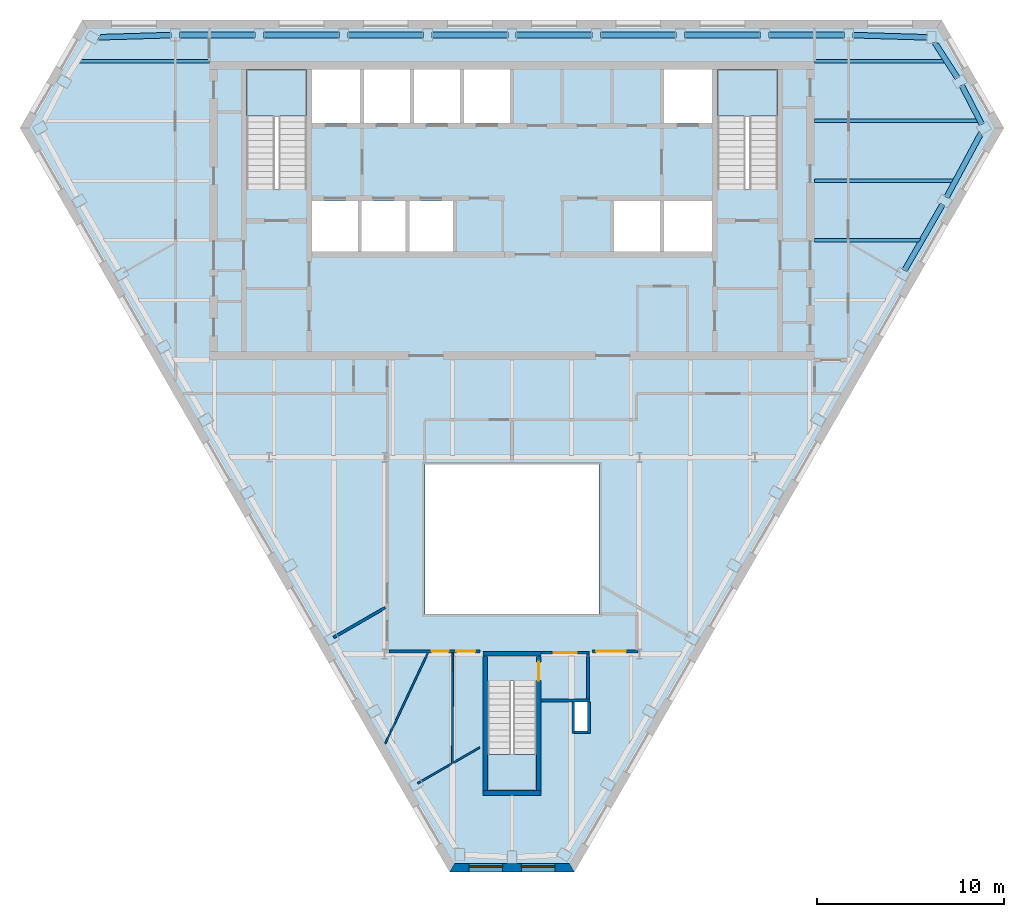
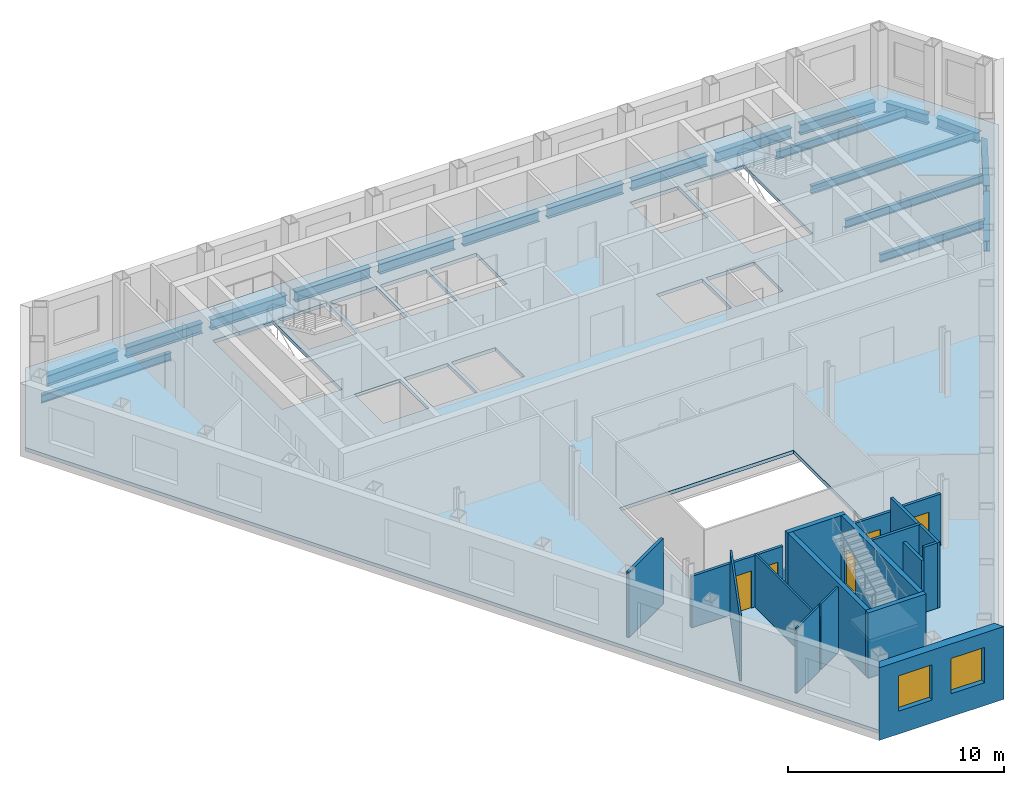
# One storey, part 3 of 10: 19 beams, 18 walls, 5 doors, 4 slabs, 2 windows, 7 openings, 3 elements without a shape of their own.
"""IFC4 building model written with IfcOpenShell, lengths in metres."""

import ifcopenshell
import ifcopenshell.guid

model = None  # the IFC model being written
_history = None  # IfcOwnerHistory: only IFC2X3 demands one
_inside = {}  # id of a spatial element -> (the spatial element, [elements in it])
_under = {}  # id of a project, library or spatial element -> (it, [spatial elements below it])
_declared = {}  # id of a project -> (the project, [libraries it declares])
_typed = {}  # id of a type object -> (the type object, [elements of that type])
_made_of = {}  # id of a material, layer set ... -> (it, [elements and type objects made of it])


def new_model(schema):
    """Start an empty IFC model of exactly this schema.

    Asked for "IFC4X3", IfcOpenShell would pick the latest addendum, in which some entities
    have other attributes; the version numbers below select the first issue.
    IFC2X3 requires an IfcOwnerHistory on every rooted entity: one is made here for all.
    """
    global model, _history
    if schema == "IFC4X3":
        model = ifcopenshell.file(schema_version=(4, 3, 0, 0))
    else:
        model = ifcopenshell.file(schema=schema)
    _inside.clear()
    _under.clear()
    _declared.clear()
    _typed.clear()
    _made_of.clear()
    _history = None
    if model.schema == "IFC2X3":
        org = make("IfcOrganization", Name="unknown")
        user = make(
            "IfcPersonAndOrganization",
            ThePerson=make("IfcPerson", FamilyName="unknown"),
            TheOrganization=org,
        )
        app = make(
            "IfcApplication",
            ApplicationDeveloper=org,
            Version="unknown",
            ApplicationFullName="unknown",
            ApplicationIdentifier="unknown",
        )
        _history = make(
            "IfcOwnerHistory",
            OwningUser=user,
            OwningApplication=app,
            ChangeAction="ADDED",
            CreationDate=0,
        )
    return model


def make(cls, **values):
    """One entity of the class cls with the attributes given. An attribute that is None is left unset."""
    return model.create_entity(
        cls, **{name: value for name, value in values.items() if value is not None}
    )


def rooted(cls, **values):
    """An entity with a GlobalId (a new one), such as an element, a storey or a relation."""
    return make(cls, GlobalId=ifcopenshell.guid.new(), OwnerHistory=_history, **values)


def si_unit(unit_type, name, prefix=None):
    """IfcSIUnit, for example si_unit("LENGTHUNIT", "METRE", prefix="MILLI")."""
    return make("IfcSIUnit", UnitType=unit_type, Prefix=prefix, Name=name)


def assignment(units):
    """IfcUnitAssignment: the units of a project."""
    return None if units is None else make("IfcUnitAssignment", Units=units)


def point(xyz):
    """IfcCartesianPoint."""
    return None if xyz is None else make("IfcCartesianPoint", Coordinates=xyz)


def direction(xyz):
    """IfcDirection."""
    return None if xyz is None else make("IfcDirection", DirectionRatios=xyz)


def frame(location, z_axis=None, x_axis=None):
    """IfcAxis2Placement3D, a coordinate frame: its origin and axes. An axis left out is left unset."""
    return make(
        "IfcAxis2Placement3D",
        Location=point(location),
        Axis=direction(z_axis),
        RefDirection=direction(x_axis),
    )


def frame_2d(location, x_axis=None):
    """IfcAxis2Placement2D, a coordinate frame in the plane: its origin and x axis."""
    return make(
        "IfcAxis2Placement2D", Location=point(location), RefDirection=direction(x_axis)
    )


def origin():
    """The frame at (0, 0, 0) with its axes left unset."""
    return frame((0.0, 0.0, 0.0))


def origin_2d():
    """The frame at (0, 0) in the plane with its x axis left unset."""
    return frame_2d((0.0, 0.0))


def place(relative_to, where):
    """IfcLocalPlacement: puts the frame where relative to a parent placement (None: the world)."""
    return make(
        "IfcLocalPlacement", PlacementRelTo=relative_to, RelativePlacement=where
    )


def context(
    kind, dimensions, precision=None, world=None, true_north=None, identifier=None
):
    """IfcGeometricRepresentationContext, for example the 3D "Model" context."""
    return make(
        "IfcGeometricRepresentationContext",
        ContextIdentifier=identifier,
        ContextType=kind,
        CoordinateSpaceDimension=dimensions,
        Precision=precision,
        WorldCoordinateSystem=world,
        TrueNorth=true_north,
    )


def subcontext(parent, identifier, kind, view, scale=None):
    """IfcGeometricRepresentationSubContext, for example "Body" below "Model"."""
    return make(
        "IfcGeometricRepresentationSubContext",
        ContextIdentifier=identifier,
        ContextType=kind,
        ParentContext=parent,
        TargetScale=scale,
        TargetView=view,
    )


def project(units=None, contexts=None):
    """IfcProject with its units and contexts."""
    return rooted(
        "IfcProject",
        Name="project",
        RepresentationContexts=contexts,
        UnitsInContext=assignment(units),
    )


def spatial(cls, under=None, at=None, **own):
    """A site, building, storey or space (cls), placed at a placement, below another one or the project."""
    s = rooted(cls, ObjectPlacement=at, **own)
    if under is not None:
        _under.setdefault(under.id(), (under, []))[1].append(s)
    return s


def polyline(points):
    """IfcPolyline through the points."""
    return make("IfcPolyline", Points=[point(p) for p in points])


def profile(cls, at=None, kind="AREA", **sizes):
    """A parametric profile (cls). Its sizes go by their IFC names, for example OverallWidth=200.0."""
    return make(cls, ProfileType=kind, Position=at, **sizes)


def rectangle(**sizes):
    """IfcRectangleProfileDef."""
    return profile("IfcRectangleProfileDef", **sizes)


def i_section(**sizes):
    """IfcIShapeProfileDef."""
    return profile("IfcIShapeProfileDef", **sizes)


def outline(outer, holes=None, kind="AREA"):
    """IfcArbitraryClosedProfileDef: a profile drawn as a closed curve; with holes, ...WithVoids."""
    if holes is None:
        return make("IfcArbitraryClosedProfileDef", ProfileType=kind, OuterCurve=outer)
    return make(
        "IfcArbitraryProfileDefWithVoids",
        ProfileType=kind,
        OuterCurve=outer,
        InnerCurves=holes,
    )


def extrude(swept, where, along, depth):
    """IfcExtrudedAreaSolid: the profile swept, set in the frame where, extruded along a direction by depth."""
    return make(
        "IfcExtrudedAreaSolid",
        SweptArea=swept,
        Position=where,
        ExtrudedDirection=direction(along),
        Depth=depth,
    )


def clip(a, b, op="DIFFERENCE"):
    """IfcBooleanClippingResult: the solid a cut by the half space b."""
    return make(
        "IfcBooleanClippingResult", Operator=op, FirstOperand=a, SecondOperand=b
    )


def halfspace(plane, agree):
    """IfcHalfSpaceSolid: all space on one side of the plane z = 0 of the frame plane."""
    return make(
        "IfcHalfSpaceSolid",
        BaseSurface=make("IfcPlane", Position=plane),
        AgreementFlag=agree,
    )


def shape(context_of_items, identifier, shape_type, items):
    """IfcShapeRepresentation: the items that make up one representation, for example the "Body"."""
    return make(
        "IfcShapeRepresentation",
        ContextOfItems=context_of_items,
        RepresentationIdentifier=identifier,
        RepresentationType=shape_type,
        Items=items,
    )


def material(Name=None, Category=None):
    """IfcMaterial."""
    return make("IfcMaterial", Name=Name, Category=Category)


def layer(
    of_material, thickness, ventilated=None, Name=None, Category=None, Priority=None
):
    """IfcMaterialLayer: one layer of a wall or slab, of a material (None: an air gap)."""
    return make(
        "IfcMaterialLayer",
        Material=of_material,
        LayerThickness=thickness,
        IsVentilated=ventilated,
        Name=Name,
        Category=Category,
        Priority=Priority,
    )


def layer_set(layers, Name=None):
    """IfcMaterialLayerSet."""
    return make("IfcMaterialLayerSet", MaterialLayers=layers, LayerSetName=Name)


def material_profile(
    of_material, cross_section, Name=None, Category=None, Priority=None
):
    """IfcMaterialProfile: a cross section and its material."""
    return make(
        "IfcMaterialProfile",
        Name=Name,
        Material=of_material,
        Profile=cross_section,
        Priority=Priority,
        Category=Category,
    )


def profile_set(profiles, Name=None, composite=None):
    """IfcMaterialProfileSet."""
    return make(
        "IfcMaterialProfileSet",
        Name=Name,
        MaterialProfiles=profiles,
        CompositeProfile=composite,
    )


def made_of(thing, what):
    """Note that an element or type object is made of a material, layer set ...; save() writes the relation."""
    if what is not None:
        _made_of.setdefault(what.id(), (what, []))[1].append(thing)
    return thing


def type_object(cls, material=None, **own):
    """A type object (cls), such as IfcWallType, which elements share."""
    return made_of(rooted(cls, **own), material)


def element(
    cls,
    number,
    at=None,
    inside=None,
    cuts=None,
    type_object=None,
    material=None,
    context=None,
    identifier="Body",
    shape_type=None,
    held_by="IfcProductDefinitionShape",
    body=None,
    shapes=None,
    **own,
):
    """One element of the class cls, such as IfcWall. Its Tag is "e" and its number.

    at: its placement. inside: the storey or other place that contains it. cuts: it is an
    opening in that element (IfcRelVoidsElement). A single representation is given by context,
    identifier, shape_type and body (its items); several are given by shapes. held_by: the class
    of the entity that holds the representations. save() writes the other relations.
    """
    e = rooted(cls, Tag="e%d" % number, ObjectPlacement=at, **own)
    if body is not None:
        shapes = [shape(context, identifier, shape_type, body)]
    if shapes is not None:
        e.Representation = make(held_by, Representations=shapes)
    if inside is not None:
        _inside.setdefault(inside.id(), (inside, []))[1].append(e)
    if cuts is not None:
        rooted(
            "IfcRelVoidsElement", RelatingBuildingElement=cuts, RelatedOpeningElement=e
        )
    if type_object is not None:
        _typed.setdefault(type_object.id(), (type_object, []))[1].append(e)
    return made_of(e, material)


def fill(opening, filler):
    """IfcRelFillsElement: the door or window that sits in an opening."""
    return rooted(
        "IfcRelFillsElement",
        RelatingOpeningElement=opening,
        RelatedBuildingElement=filler,
    )


def aggregate(whole, parts):
    """IfcRelAggregates: a whole, such as a stair, and the parts it consists of."""
    return rooted("IfcRelAggregates", RelatingObject=whole, RelatedObjects=parts)


def save(model, path):
    """Write the relations noted so far, then the file.

    IfcRelAggregates (storeys below a building ...), IfcRelContainedInSpatialStructure (elements
    in a storey), IfcRelDefinesByType, IfcRelAssociatesMaterial and IfcRelDeclares: one each for
    every whole, place, type object, material and project.
    """
    for whole, parts in _under.values():
        aggregate(whole, parts)
    for where, things in _inside.values():
        rooted(
            "IfcRelContainedInSpatialStructure",
            RelatedElements=things,
            RelatingStructure=where,
        )
    for kind, things in _typed.values():
        rooted("IfcRelDefinesByType", RelatedObjects=things, RelatingType=kind)
    for what, things in _made_of.values():
        rooted("IfcRelAssociatesMaterial", RelatedObjects=things, RelatingMaterial=what)
    for by, libraries in _declared.values():
        rooted("IfcRelDeclares", RelatingContext=by, RelatedDefinitions=libraries)
    model.write(path)


model = new_model("IFC4")

# Units and contexts
model_context = context("Model", 3, precision=1e-05, world=origin(), true_north=direction((0.0, 1.0)))
body_context = subcontext(model_context, "Body", "Model", "MODEL_VIEW")
ifc_project = project(units=[si_unit("LENGTHUNIT", "METRE"), si_unit("AREAUNIT", "SQUARE_METRE"), si_unit("VOLUMEUNIT", "CUBIC_METRE"), si_unit("PLANEANGLEUNIT", "RADIAN"), si_unit("MASSUNIT", "GRAM", prefix="KILO")], contexts=[model_context])

# Site, building, storey
site_placement = place(None, origin())
site = spatial("IfcSite", under=ifc_project, at=site_placement, CompositionType="ELEMENT")
building_placement = place(site_placement, origin())
building = spatial("IfcBuilding", under=site, at=building_placement, Name="Njiva Tower", CompositionType="ELEMENT")
storey_placement = place(building_placement, frame((0.0, 0.0, 235.5)))
storey = spatial("IfcBuildingStorey", under=building, at=storey_placement, Name="L53", CompositionType="ELEMENT", Elevation=235.5)

# Beams
ifc_material_1 = material(Name="Steel S355 J2", Category="steel")
ifc_material_profile_1 = material_profile(ifc_material_1, i_section(OverallWidth=0.3, OverallDepth=0.59, WebThickness=0.013, FlangeThickness=0.025, at=origin_2d()), Name="HEA 600")
ifc_profile_set_1 = profile_set([ifc_material_profile_1], Name="Steel S355 J2")
beam_type_1 = type_object("IfcBeamType", Name="B27 Short-span spandrel beam HEA 600", PredefinedType="SPANDREL", material=ifc_profile_set_1)
beam_1_placement = place(storey_placement, frame((22.227, 19.274, -0.495), z_axis=(-0.999551509544, 0.029946281379, 0.0), x_axis=(-0.029946281379, -0.999551509544, 0.0)))
element("IfcBeam", 1, at=beam_1_placement, inside=storey, type_object=beam_type_1, Name="Short-span spandrel beam S17-B131", PredefinedType="SPANDREL", context=body_context, shape_type="SweptSolid", body=[
    extrude(i_section(OverallWidth=0.3, OverallDepth=0.59, WebThickness=0.013, FlangeThickness=0.025, at=origin_2d()), origin(), (0.0, 0.0, 1.0), 3.9738),
])
beam_2_placement = place(storey_placement, frame((17.801, 19.4, -0.495), z_axis=(-1.0, 0.0, 0.0), x_axis=(0.0, -1.0, 0.0)))
element("IfcBeam", 2, at=beam_2_placement, inside=storey, type_object=beam_type_1, Name="Short-span spandrel beam S17-B125", PredefinedType="SPANDREL", context=body_context, shape_type="SweptSolid", body=[
    extrude(i_section(OverallWidth=0.3, OverallDepth=0.59, WebThickness=0.013, FlangeThickness=0.025, at=origin_2d()), origin(), (0.0, 0.0, 1.0), 4.056),
])
beam_3_placement = place(storey_placement, frame((13.295, 19.4, -0.495), z_axis=(-1.0, 0.0, 0.0), x_axis=(0.0, -1.0, 0.0)))
element("IfcBeam", 3, at=beam_3_placement, inside=storey, type_object=beam_type_1, Name="Short-span spandrel beam S17-B120", PredefinedType="SPANDREL", context=body_context, shape_type="SweptSolid", body=[
    extrude(i_section(OverallWidth=0.3, OverallDepth=0.59, WebThickness=0.013, FlangeThickness=0.025, at=origin_2d()), origin(), (0.0, 0.0, 1.0), 4.057),
])
beam_4_placement = place(storey_placement, frame((8.788, 19.4, -0.495), z_axis=(-1.0, 0.0, 0.0), x_axis=(0.0, -1.0, 0.0)))
element("IfcBeam", 4, at=beam_4_placement, inside=storey, type_object=beam_type_1, Name="Short-span spandrel beam S17-B115", PredefinedType="SPANDREL", context=body_context, shape_type="SweptSolid", body=[
    extrude(i_section(OverallWidth=0.3, OverallDepth=0.59, WebThickness=0.013, FlangeThickness=0.025, at=origin_2d()), origin(), (0.0, 0.0, 1.0), 4.056),
])
for number, where, z_axis, x_axis, name in (
    (5, (4.282, 19.4, -0.495), (-1.0, 0.0, 0.0), (0.0, -1.0, 0.0), "Short-span spandrel beam S17-B110"),
    (6, (-0.225, 19.4, -0.495), (-1.0, 0.0, 0.0), (0.0, -1.0, 0.0), "Short-span spandrel beam S17-B107"),
):
    element("IfcBeam", number, at=place(storey_placement, frame(where, z_axis=z_axis, x_axis=x_axis)), inside=storey, type_object=beam_type_1, Name=name, PredefinedType="SPANDREL", context=body_context, shape_type="SweptSolid", body=[
        extrude(i_section(OverallWidth=0.3, OverallDepth=0.59, WebThickness=0.013, FlangeThickness=0.025, at=origin_2d()), origin(), (0.0, 0.0, 1.0), 4.057),
    ])
beam_5_placement = place(storey_placement, frame((-4.732, 19.4, -0.495), z_axis=(-1.0, 0.0, 0.0), x_axis=(0.0, -1.0, 0.0)))
element("IfcBeam", 7, at=beam_5_placement, inside=storey, type_object=beam_type_1, Name="Short-span spandrel beam S17-B102", PredefinedType="SPANDREL", context=body_context, shape_type="SweptSolid", body=[
    extrude(i_section(OverallWidth=0.3, OverallDepth=0.59, WebThickness=0.013, FlangeThickness=0.025, at=origin_2d()), origin(), (0.0, 0.0, 1.0), 4.056),
])
beam_6_placement = place(storey_placement, frame((-9.238, 19.4, -0.495), z_axis=(-1.0, 0.0, 0.0), x_axis=(0.0, -1.0, 0.0)))
element("IfcBeam", 8, at=beam_6_placement, inside=storey, type_object=beam_type_1, Name="Short-span spandrel beam S17-B097", PredefinedType="SPANDREL", context=body_context, shape_type="SweptSolid", body=[
    extrude(i_section(OverallWidth=0.3, OverallDepth=0.59, WebThickness=0.013, FlangeThickness=0.025, at=origin_2d()), origin(), (0.0, 0.0, 1.0), 4.057),
])
beam_7_placement = place(storey_placement, frame((-13.745, 19.4, -0.495), z_axis=(-1.0, 0.0, 0.0), x_axis=(0.0, -1.0, 0.0)))
element("IfcBeam", 9, at=beam_7_placement, inside=storey, type_object=beam_type_1, Name="Short-span spandrel beam S17-B092", PredefinedType="SPANDREL", context=body_context, shape_type="SweptSolid", body=[
    extrude(i_section(OverallWidth=0.3, OverallDepth=0.59, WebThickness=0.013, FlangeThickness=0.025, at=origin_2d()), origin(), (0.0, 0.0, 1.0), 4.056),
])
beam_8_placement = place(storey_placement, frame((-18.255, 19.393, -0.495), z_axis=(-0.999546168708, -0.030124020673, 0.0), x_axis=(0.030124020673, -0.999546168708, 0.0)))
element("IfcBeam", 10, at=beam_8_placement, inside=storey, type_object=beam_type_1, Name="Short-span spandrel beam S17-B086", PredefinedType="SPANDREL", context=body_context, shape_type="Clipping", body=[
    clip(extrude(i_section(OverallWidth=0.3, OverallDepth=0.59, WebThickness=0.013, FlangeThickness=0.025, at=origin_2d()), origin(), (0.0, 0.0, 1.0), 3.9637), halfspace(frame((-0.0268, 0.0, 3.834), z_axis=(-0.525859296825, 0.0, 0.850571572499), x_axis=(0.0, 1.0, 0.0)), False)),
])
beam_9_placement = place(storey_placement, frame((21.017, 6.804, -0.495), z_axis=(0.499957196903, 0.866050114754, 0.0), x_axis=(-0.866050114754, 0.499957196903, 0.0)))
element("IfcBeam", 11, at=beam_9_placement, inside=storey, type_object=beam_type_1, Name="Short-span spandrel beam S17-B136", PredefinedType="SPANDREL", context=body_context, shape_type="SweptSolid", body=[
    extrude(i_section(OverallWidth=0.3, OverallDepth=0.59, WebThickness=0.013, FlangeThickness=0.025, at=origin_2d()), origin(), (0.0, 0.0, 1.0), 4.0563),
])
beam_10_placement = place(storey_placement, frame((23.266, 10.714, -0.495), z_axis=(0.47391398721, 0.880571140071, 0.0), x_axis=(-0.880571140071, 0.47391398721, 0.0)))
element("IfcBeam", 12, at=beam_10_placement, inside=storey, type_object=beam_type_1, Name="Short-span spandrel beam S17-B140", PredefinedType="SPANDREL", context=body_context, shape_type="Clipping", body=[
    clip(extrude(i_section(OverallWidth=0.3, OverallDepth=0.59, WebThickness=0.013, FlangeThickness=0.025, at=origin_2d()), origin(), (0.0, 0.0, 1.0), 3.9639), halfspace(frame((-0.0261, 0.0, 3.8343), z_axis=(-0.525641938543, 0.0, 0.850705914194), x_axis=(0.0, 1.0, 0.0)), False)),
])
beam_11_placement = place(storey_placement, frame((25.152, 14.621, -0.495), z_axis=(-0.458795252972, 0.88854201693, 0.0), x_axis=(-0.88854201693, -0.458795252972, 0.0)))
element("IfcBeam", 13, at=beam_11_placement, inside=storey, type_object=beam_type_1, Name="Short-span spandrel beam S17-B141", PredefinedType="SPANDREL", context=body_context, shape_type="SweptSolid", body=[
    extrude(i_section(OverallWidth=0.3, OverallDepth=0.59, WebThickness=0.013, FlangeThickness=0.025, at=origin_2d()), origin(), (0.0, 0.0, 1.0), 2.3409),
])
beam_12_placement = place(storey_placement, frame((23.847, 17.102, -0.495), z_axis=(-0.540461143355, 0.841368975256, 0.0), x_axis=(-0.841368975256, -0.540461143355, 0.0)))
element("IfcBeam", 14, at=beam_12_placement, inside=storey, type_object=beam_type_1, Name="Short-span spandrel beam S17-B137", PredefinedType="SPANDREL", context=body_context, shape_type="Clipping", body=[
    clip(extrude(i_section(OverallWidth=0.3, OverallDepth=0.59, WebThickness=0.013, FlangeThickness=0.025, at=origin_2d()), origin(), (0.0, 0.0, 1.0), 2.3326), halfspace(frame((-0.027, 0.0, 2.1993), z_axis=(-0.540461143355, 0.0, 0.841368975256), x_axis=(0.0, 1.0, 0.0)), False)),
])
ifc_material_profile_2 = material_profile(ifc_material_1, i_section(OverallWidth=0.19, OverallDepth=0.45, WebThickness=0.0094, FlangeThickness=0.0146, at=origin_2d()), Name="IPE 450")
ifc_profile_set_2 = profile_set([ifc_material_profile_2], Name="Steel S355 J2")
beam_type_2 = type_object("IfcBeamType", Name="B37 Floor beam to the core IPE 450", PredefinedType="BEAM", material=ifc_profile_set_2)
beam_13_placement = place(storey_placement, frame((16.2, 8.4, -0.425), z_axis=(1.0, 0.0, 0.0), x_axis=(0.0, 1.0, 0.0)))
element("IfcBeam", 15, at=beam_13_placement, inside=storey, type_object=beam_type_2, Name="Floor beam to the core S17-B007", PredefinedType="BEAM", context=body_context, shape_type="Clipping", body=[
    clip(extrude(i_section(OverallWidth=0.19, OverallDepth=0.45, WebThickness=0.0094, FlangeThickness=0.0146, at=origin_2d()), origin(), (0.0, 0.0, 1.0), 5.698), halfspace(frame((-0.025, 0.0, 5.6086), z_axis=(-0.499998009787, 0.0, 0.866026552831), x_axis=(0.0, 1.0, 0.0)), False)),
])
beam_14_placement = place(storey_placement, frame((16.2, 11.6, -0.425), z_axis=(1.0, 0.0, 0.0), x_axis=(0.0, 1.0, 0.0)))
element("IfcBeam", 16, at=beam_14_placement, inside=storey, type_object=beam_type_2, Name="Floor beam to the core S17-B008", PredefinedType="BEAM", context=body_context, shape_type="Clipping", body=[
    clip(extrude(i_section(OverallWidth=0.19, OverallDepth=0.45, WebThickness=0.0094, FlangeThickness=0.0146, at=origin_2d()), origin(), (0.0, 0.0, 1.0), 7.501), halfspace(frame((-0.0237, 0.0, 7.4169), z_axis=(-0.47376166762, 0.0, 0.88065309986), x_axis=(0.0, 1.0, 0.0)), False)),
])
beam_15_placement = place(storey_placement, frame((16.2, 14.8, -0.425), z_axis=(1.0, 0.0, 0.0), x_axis=(0.0, 1.0, 0.0)))
element("IfcBeam", 17, at=beam_15_placement, inside=storey, type_object=beam_type_2, Name="Floor beam to the core S17-B009", PredefinedType="BEAM", context=body_context, shape_type="Clipping", body=[
    clip(extrude(i_section(OverallWidth=0.19, OverallDepth=0.45, WebThickness=0.0094, FlangeThickness=0.0146, at=origin_2d()), origin(), (0.0, 0.0, 1.0), 8.815), halfspace(frame((0.0229, 0.0, 8.7346), z_axis=(0.458330853115, 0.0, 0.888781654335), x_axis=(0.0, 1.0, 0.0)), False)),
])
beam_16_placement = place(storey_placement, frame((-23.232, 18.0, -0.425), z_axis=(1.0, 0.0, 0.0), x_axis=(0.0, 1.0, 0.0)))
element("IfcBeam", 18, at=beam_16_placement, inside=storey, type_object=beam_type_2, Name="Floor beam to the core S17-B003", PredefinedType="BEAM", context=body_context, shape_type="Clipping", body=[
    clip(extrude(i_section(OverallWidth=0.19, OverallDepth=0.45, WebThickness=0.0094, FlangeThickness=0.0146, at=origin_2d()), origin(), (0.0, 0.0, 1.0), 7.032), halfspace(frame((0.027, 0.0, 0.098), z_axis=(0.540539234056, 0.0, -0.841318807852), x_axis=(0.0, -1.0, 0.0)), False)),
])
beam_17_placement = place(storey_placement, frame((16.2, 18.0, -0.425), z_axis=(1.0, 0.0, 0.0), x_axis=(0.0, 1.0, 0.0)))
element("IfcBeam", 19, at=beam_17_placement, inside=storey, type_object=beam_type_2, Name="Floor beam to the core S17-B010", PredefinedType="BEAM", context=body_context, shape_type="Clipping", body=[
    clip(extrude(i_section(OverallWidth=0.19, OverallDepth=0.45, WebThickness=0.0094, FlangeThickness=0.0146, at=origin_2d()), origin(), (0.0, 0.0, 1.0), 7.032), halfspace(frame((0.027, 0.0, 6.934), z_axis=(0.540539234056, 0.0, 0.841318807852), x_axis=(0.0, 1.0, 0.0)), False)),
])

# Stair, slab
ifc_material_2 = material(Name="Concrete C40/50", Category="concrete")
stair_type_1 = type_object("IfcStairType", Name="ST4 Exit stair 1500", PredefinedType="HALF_TURN_STAIR", material=ifc_material_2)
stair_1_placement = place(storey_placement, origin())
stair_1 = element("IfcStair", 20, at=stair_1_placement, inside=storey, type_object=stair_type_1, Name="Stair A", PredefinedType="HALF_TURN_STAIR")
ifc_layer_1 = layer(ifc_material_2, 0.2)
ifc_layer_set_1 = layer_set([ifc_layer_1], Name="Concrete C40/50")
slab_type_1 = type_object("IfcSlabType", Name="FL9 Stair landing 200", PredefinedType="LANDING", material=ifc_layer_set_1)
slab_1_placement = place(storey_placement, frame((0.0, 0.0, 1.75)))
slab_1 = element("IfcSlab", 21, at=slab_1_placement, type_object=slab_type_1, Name="ST-A landing 1", PredefinedType="LANDING", context=body_context, shape_type="SweptSolid", body=[
    extrude(outline(polyline([(-14.206, 15.06), (-10.994, 15.06), (-10.994, 17.55), (-14.206, 17.55), (-14.206, 15.06)])), origin(), (0.0, 0.0, 1.0), 0.2),
])
aggregate(stair_1, [slab_1])

stair_2_placement = place(storey_placement, origin())
stair_2 = element("IfcStair", 22, at=stair_2_placement, inside=storey, type_object=stair_type_1, Name="Stair B", PredefinedType="HALF_TURN_STAIR")
slab_2_placement = place(storey_placement, frame((0.0, 0.0, 1.75)))
slab_2 = element("IfcSlab", 23, at=slab_2_placement, type_object=slab_type_1, Name="ST-B landing 1", PredefinedType="LANDING", context=body_context, shape_type="SweptSolid", body=[
    extrude(outline(polyline([(10.994, 15.06), (14.206, 15.06), (14.206, 17.55), (10.994, 17.55), (10.994, 15.06)])), origin(), (0.0, 0.0, 1.0), 0.2),
])
aggregate(stair_2, [slab_2])

stair_type_2 = type_object("IfcStairType", Name="ST1 Exit stair 1250", PredefinedType="HALF_TURN_STAIR", material=ifc_material_2)
stair_3_placement = place(storey_placement, origin())
stair_3 = element("IfcStair", 24, at=stair_3_placement, inside=storey, type_object=stair_type_2, Name="Stair C", PredefinedType="HALF_TURN_STAIR")
slab_3_placement = place(storey_placement, frame((0.0, 0.0, 1.75)))
slab_3 = element("IfcSlab", 25, at=slab_3_placement, type_object=slab_type_1, Name="ST-C landing 1", PredefinedType="LANDING", context=body_context, shape_type="SweptSolid", body=[
    extrude(outline(polyline([(-1.306, -21.05), (1.306, -21.05), (1.306, -19.12), (-1.306, -19.12), (-1.306, -21.05)])), origin(), (0.0, 0.0, 1.0), 0.2),
])
aggregate(stair_3, [slab_3])

# Slab
ifc_material_3 = material(Name="Concrete C30/37", Category="concrete")
ifc_layer_2 = layer(ifc_material_3, 0.2)
ifc_layer_set_2 = layer_set([ifc_layer_2], Name="Concrete C30/37")
slab_type_2 = type_object("IfcSlabType", Name="SL16 Composite floor slab 200", PredefinedType="FLOOR", material=ifc_layer_set_2)
slab_4_placement = place(storey_placement, frame((0.0, 0.0, -0.2)))
element("IfcSlab", 26, at=slab_4_placement, inside=storey, type_object=slab_type_2, Name="Floor slab L53", PredefinedType="FLOOR", context=body_context, shape_type="SweptSolid", body=[
    extrude(outline(polyline([(26.0752, 14.415), (3.2101, -25.1886), (-3.2101, -25.1886), (-26.0752, 14.415), (-22.8651, 19.975), (22.8651, 19.975), (26.0752, 14.415)]), holes=[polyline([(10.994, 11.13), (14.206, 11.13), (14.206, 17.55), (10.994, 17.55), (10.994, 11.13)]), polyline([(8.125, 14.7), (10.7, 14.7), (10.7, 17.55), (8.125, 17.55), (8.125, 14.7)]), polyline([(8.1333, 7.8), (10.7, 7.8), (10.7, 10.5), (8.1333, 10.5), (8.1333, 7.8)]), polyline([(5.4667, 7.8), (7.9333, 7.8), (7.9333, 10.5), (5.4667, 10.5), (5.4667, 7.8)]), polyline([(4.67, -11.6), (4.67, -3.6), (-4.67, -3.6), (-4.67, -11.6), (4.67, -11.6)]), polyline([(3.35, -17.85), (4.05, -17.85), (4.05, -16.3), (3.35, -16.3), (3.35, -17.85)]), polyline([(-1.306, -21.05), (1.306, -21.05), (1.306, -15.19), (-1.306, -15.19), (-1.306, -21.05)]), polyline([(-2.575, 14.7), (-0.1, 14.7), (-0.1, 17.55), (-2.575, 17.55), (-2.575, 14.7)]), polyline([(-5.25, 14.7), (-2.775, 14.7), (-2.775, 17.55), (-5.25, 17.55), (-5.25, 14.7)]), polyline([(-5.5, 7.8), (-3.15, 7.8), (-3.15, 10.5), (-5.5, 10.5), (-5.5, 7.8)]), polyline([(-7.925, 14.7), (-5.45, 14.7), (-5.45, 17.55), (-7.925, 17.55), (-7.925, 14.7)]), polyline([(-8.05, 7.8), (-5.7, 7.8), (-5.7, 10.5), (-8.05, 10.5), (-8.05, 7.8)]), polyline([(-10.7, 14.7), (-8.125, 14.7), (-8.125, 17.55), (-10.7, 17.55), (-10.7, 14.7)]), polyline([(-8.25, 7.8), (-8.25, 10.5), (-10.7, 10.5), (-10.7, 7.8), (-8.25, 7.8)]), polyline([(-14.206, 11.13), (-10.994, 11.13), (-10.994, 17.55), (-14.206, 17.55), (-14.206, 11.13)])]), origin(), (0.0, 0.0, 1.0), 0.2),
])

# Walls
ifc_material_4 = material(Name="Gypsum board on steel studs", Category="gypsum")
ifc_layer_3 = layer(ifc_material_4, 0.1)
ifc_layer_set_3 = layer_set([ifc_layer_3], Name="Gypsum board on steel studs")
wall_type_1 = type_object("IfcWallType", Name="WT20 Gypsum partition 100", PredefinedType="PARTITIONING", material=ifc_layer_set_3)
wall_1_placement = place(storey_placement, frame((-6.789, -18.539, 0.0), z_axis=(0.0, 0.0, 1.0), x_axis=(0.425635061069, 0.904894908146, 0.0)))
element("IfcWall", 27, at=wall_1_placement, inside=storey, type_object=wall_type_1, Name="Partition S17-P008", PredefinedType="PARTITIONING", context=body_context, shape_type="SweptSolid", body=[
    extrude(rectangle(XDim=5.352, YDim=0.1, at=frame_2d((2.676, 0.0))), origin(), (0.0, 0.0, 1.0), 3.7),
])
wall_2_placement = place(storey_placement, frame((-5.045, -20.66, 0.0), z_axis=(0.0, 0.0, 1.0), x_axis=(0.866002828817, 0.500039098953, 0.0)))
element("IfcWall", 28, at=wall_2_placement, inside=storey, type_object=wall_type_1, Name="Partition S17-P011", PredefinedType="PARTITIONING", context=body_context, shape_type="SweptSolid", body=[
    extrude(rectangle(XDim=2.0958, YDim=0.1, at=frame_2d((1.0479, 0.0))), origin(), (0.0, 0.0, 1.0), 3.7),
])
wall_3_placement = place(storey_placement, frame((-3.192, -19.591, 0.0), z_axis=(0.0, 0.0, 1.0), x_axis=(0.003380643291, 0.999994285609, 0.0)))
element("IfcWall", 29, at=wall_3_placement, inside=storey, type_object=wall_type_1, Name="Partition S17-P014", PredefinedType="PARTITIONING", context=body_context, shape_type="SweptSolid", body=[
    extrude(rectangle(XDim=5.916, YDim=0.1, at=frame_2d((2.958, 0.0))), origin(), (0.0, 0.0, 1.0), 3.01),
])
wall_4_placement = place(storey_placement, frame((-3.117, -19.547, 0.0), z_axis=(0.0, 0.0, 1.0), x_axis=(0.865936922628, 0.500153222552, 0.0)))
element("IfcWall", 30, at=wall_4_placement, inside=storey, type_object=wall_type_1, Name="Partition S17-P015", PredefinedType="PARTITIONING", context=body_context, shape_type="SweptSolid", body=[
    extrude(rectangle(XDim=1.6075, YDim=0.1, at=frame_2d((0.8038, 0.0))), origin(), (0.0, 0.0, 1.0), 3.7),
])
ifc_layer_4 = layer(ifc_material_4, 0.15)
ifc_layer_set_4 = layer_set([ifc_layer_4], Name="Gypsum board on steel studs")
wall_type_2 = type_object("IfcWallType", Name="WT21 Compartment wall 150", PredefinedType="PARTITIONING", material=ifc_layer_set_4)
wall_5_placement = place(storey_placement, frame((-9.552, -12.854, 0.0), z_axis=(0.0, 0.0, 1.0), x_axis=(0.865847012661, 0.500308855275, 0.0)))
element("IfcWall", 31, at=wall_5_placement, inside=storey, type_object=wall_type_2, Name="Partition S17-P006", PredefinedType="PARTITIONING", context=body_context, shape_type="SweptSolid", body=[
    extrude(rectangle(XDim=3.198, YDim=0.15, at=frame_2d((1.599, 0.0))), origin(), (0.0, 0.0, 1.0), 3.7),
])

# Wall, openings, doors
wall_6_placement = place(storey_placement, frame((-6.595, -13.6, 0.0), z_axis=(0.0, 0.0, 1.0), x_axis=(1.0, 0.0, 0.0)))
wall_6 = element("IfcWall", 32, at=wall_6_placement, inside=storey, type_object=wall_type_2, Name="Partition S17-P010", PredefinedType="PARTITIONING", context=body_context, shape_type="SweptSolid", body=[
    extrude(rectangle(XDim=4.895, YDim=0.15, at=frame_2d((2.4475, 0.0))), origin(), (0.0, 0.0, 1.0), 2.91),
])
opening_1_placement = place(wall_6_placement, frame((2.297, 0.0, 0.0)))
opening_1 = element("IfcOpeningElement", 33, at=opening_1_placement, cuts=wall_6, Name="Opening S17-D009", PredefinedType="OPENING", context=body_context, shape_type="SweptSolid", body=[
    extrude(rectangle(XDim=0.9, YDim=2.1, at=frame_2d((0.45, 1.05))), frame((0.0, 0.085, 0.0), z_axis=(0.0, -1.0, 0.0), x_axis=(1.0, 0.0, 0.0)), (0.0, 0.0, 1.0), 0.17),
])
opening_2_placement = place(wall_6_placement, frame((3.623, 0.0, 0.0)))
opening_2 = element("IfcOpeningElement", 34, at=opening_2_placement, cuts=wall_6, Name="Opening S17-D010", PredefinedType="OPENING", context=body_context, shape_type="SweptSolid", body=[
    extrude(rectangle(XDim=1.0, YDim=2.1, at=frame_2d((0.5, 1.05))), frame((0.0, 0.085, 0.0), z_axis=(0.0, -1.0, 0.0), x_axis=(1.0, 0.0, 0.0)), (0.0, 0.0, 1.0), 0.17),
])
ifc_material_5 = material(Name="Steel fire door set", Category="steel")
door_type_1 = type_object("IfcDoorType", Name="D36 Fire door 900x2100", OperationType="SINGLE_SWING_LEFT", PredefinedType="DOOR", material=ifc_material_5)
door_1_placement = place(opening_1_placement, origin())
door_1 = element("IfcDoor", 35, at=door_1_placement, inside=storey, type_object=door_type_1, Name="Door S17-D009", OperationType="SINGLE_SWING_RIGHT", OverallHeight=2.1, OverallWidth=0.9, PredefinedType="DOOR", context=body_context, shape_type="SweptSolid", body=[
    extrude(rectangle(XDim=0.9, YDim=2.1, at=frame_2d((0.45, 1.05))), frame((0.0, 0.025, 0.0), z_axis=(0.0, -1.0, 0.0), x_axis=(1.0, 0.0, 0.0)), (0.0, 0.0, 1.0), 0.05),
])
fill(opening_1, door_1)
door_type_2 = type_object("IfcDoorType", Name="D37 Fire door 1000x2100", OperationType="SINGLE_SWING_LEFT", PredefinedType="DOOR", material=ifc_material_5)
door_2_placement = place(opening_2_placement, origin())
door_2 = element("IfcDoor", 36, at=door_2_placement, inside=storey, type_object=door_type_2, Name="Door S17-D010", OperationType="SINGLE_SWING_RIGHT", OverallHeight=2.1, OverallWidth=1.0, PredefinedType="DOOR", context=body_context, shape_type="SweptSolid", body=[
    extrude(rectangle(XDim=1.0, YDim=2.1, at=frame_2d((0.5, 1.05))), frame((0.0, 0.025, 0.0), z_axis=(0.0, -1.0, 0.0), x_axis=(1.0, 0.0, 0.0)), (0.0, 0.0, 1.0), 0.05),
])
fill(opening_2, door_2)

# Wall, opening, door
wall_7_placement = place(storey_placement, frame((4.3, -13.6, 0.0), z_axis=(0.0, 0.0, 1.0), x_axis=(1.0, 0.0, 0.0)))
wall_7 = element("IfcWall", 37, at=wall_7_placement, inside=storey, type_object=wall_type_2, Name="Partition S17-P017", PredefinedType="PARTITIONING", context=body_context, shape_type="SweptSolid", body=[
    extrude(rectangle(XDim=2.445, YDim=0.15, at=frame_2d((1.2225, 0.0))), origin(), (0.0, 0.0, 1.0), 2.91),
])
opening_3_placement = place(wall_7_placement, frame((0.2, 0.0, 0.0)))
opening_3 = element("IfcOpeningElement", 38, at=opening_3_placement, cuts=wall_7, Name="Opening S17-D012", PredefinedType="OPENING", context=body_context, shape_type="SweptSolid", body=[
    extrude(rectangle(XDim=1.6, YDim=2.1, at=frame_2d((0.8, 1.05))), frame((0.0, 0.085, 0.0), z_axis=(0.0, -1.0, 0.0), x_axis=(1.0, 0.0, 0.0)), (0.0, 0.0, 1.0), 0.17),
])
door_type_3 = type_object("IfcDoorType", Name="D43 Fire door 1600x2100", OperationType="DOUBLE_DOOR_SINGLE_SWING", PredefinedType="DOOR", material=ifc_material_5)
door_3_placement = place(opening_3_placement, origin())
door_3 = element("IfcDoor", 39, at=door_3_placement, inside=storey, type_object=door_type_3, Name="Door S17-D012", OperationType="DOUBLE_DOOR_SINGLE_SWING", OverallHeight=2.1, OverallWidth=1.6, PredefinedType="DOOR", context=body_context, shape_type="SweptSolid", body=[
    extrude(rectangle(XDim=1.6, YDim=2.1, at=frame_2d((0.8, 1.05))), frame((0.0, 0.025, 0.0), z_axis=(0.0, -1.0, 0.0), x_axis=(1.0, 0.0, 0.0)), (0.0, 0.0, 1.0), 0.05),
])
fill(opening_3, door_3)

# Walls
ifc_material_6 = material(Name="Blockwork", Category="masonry")
ifc_layer_5 = layer(ifc_material_6, 0.15)
ifc_layer_set_5 = layer_set([ifc_layer_5], Name="Blockwork")
wall_type_3 = type_object("IfcWallType", Name="WT4 Stair partition 150", PredefinedType="PARTITIONING", material=ifc_layer_set_5)
wall_8_placement = place(storey_placement, frame((1.55, -16.225, 0.0), z_axis=(0.0, 0.0, 1.0), x_axis=(1.0, 0.0, 0.0)))
element("IfcWall", 40, at=wall_8_placement, inside=storey, type_object=wall_type_3, Name="Stair C vestibule wall south", PredefinedType="PARTITIONING", context=body_context, shape_type="SweptSolid", body=[
    extrude(rectangle(XDim=2.6, YDim=0.15, at=frame_2d((1.3, 0.0))), origin(), (0.0, 0.0, 1.0), 3.7),
])
wall_9_placement = place(storey_placement, frame((4.075, -16.15, 0.0), z_axis=(0.0, 0.0, 1.0), x_axis=(0.0, 1.0, 0.0)))
element("IfcWall", 41, at=wall_9_placement, inside=storey, type_object=wall_type_3, Name="Stair C vestibule wall east", PredefinedType="PARTITIONING", context=body_context, shape_type="SweptSolid", body=[
    extrude(rectangle(XDim=2.4, YDim=0.15, at=frame_2d((1.2, 0.0))), origin(), (0.0, 0.0, 1.0), 3.7),
])

# Wall, opening, door
wall_10_placement = place(storey_placement, frame((1.55, -13.675, 0.0), z_axis=(0.0, 0.0, 1.0), x_axis=(1.0, 0.0, 0.0)))
wall_10 = element("IfcWall", 42, at=wall_10_placement, inside=storey, type_object=wall_type_3, Name="Stair C vestibule wall north", PredefinedType="PARTITIONING", context=body_context, shape_type="SweptSolid", body=[
    extrude(rectangle(XDim=2.6, YDim=0.15, at=frame_2d((1.3, 0.0))), origin(), (0.0, 0.0, 1.0), 2.91),
])
opening_4_placement = place(wall_10_placement, frame((0.675, 0.0, 0.0)))
opening_4 = element("IfcOpeningElement", 43, at=opening_4_placement, cuts=wall_10, Name="Opening S17-D939", PredefinedType="OPENING", context=body_context, shape_type="SweptSolid", body=[
    extrude(rectangle(XDim=1.25, YDim=2.1, at=frame_2d((0.625, 1.05))), frame((0.0, 0.085, 0.0), z_axis=(0.0, -1.0, 0.0), x_axis=(1.0, 0.0, 0.0)), (0.0, 0.0, 1.0), 0.17),
])
ifc_material_7 = material(Name="Glazed steel fire door", Category="steel")
door_type_4 = type_object("IfcDoorType", Name="D8 Vestibule corridor door 1250x2100 glazed", OperationType="SINGLE_SWING_LEFT", PredefinedType="DOOR", material=ifc_material_7)
door_4_placement = place(opening_4_placement, origin())
door_4 = element("IfcDoor", 44, at=door_4_placement, inside=storey, type_object=door_type_4, Name="Stair vestibule corridor door", OperationType="SINGLE_SWING_RIGHT", OverallHeight=2.1, OverallWidth=1.25, PredefinedType="DOOR", context=body_context, shape_type="SweptSolid", body=[
    extrude(rectangle(XDim=1.25, YDim=2.1, at=frame_2d((0.625, 1.05))), frame((0.0, 0.025, 0.0), z_axis=(0.0, -1.0, 0.0), x_axis=(1.0, 0.0, 0.0)), (0.0, 0.0, 1.0), 0.05),
])
fill(opening_4, door_4)

# Walls
wall_11_placement = place(storey_placement, frame((3.275, -18.0, 0.0), z_axis=(0.0, 0.0, 1.0), x_axis=(0.0, 1.0, 0.0)))
element("IfcWall", 45, at=wall_11_placement, inside=storey, type_object=wall_type_3, Name="Stair C pressurisation shaft wall", PredefinedType="PARTITIONING", context=body_context, shape_type="SweptSolid", body=[
    extrude(rectangle(XDim=1.7, YDim=0.15, at=frame_2d((0.85, 0.0))), origin(), (0.0, 0.0, 1.0), 3.01),
])
wall_12_placement = place(storey_placement, frame((3.35, -17.925, 0.0), z_axis=(0.0, 0.0, 1.0), x_axis=(1.0, 0.0, 0.0)))
element("IfcWall", 46, at=wall_12_placement, inside=storey, type_object=wall_type_3, Name="Stair C pressurisation shaft wall", PredefinedType="PARTITIONING", context=body_context, shape_type="SweptSolid", body=[
    extrude(rectangle(XDim=0.7, YDim=0.15, at=frame_2d((0.35, 0.0))), origin(), (0.0, 0.0, 1.0), 3.7),
])
wall_13_placement = place(storey_placement, frame((4.125, -18.0, 0.0), z_axis=(0.0, 0.0, 1.0), x_axis=(0.0, 1.0, 0.0)))
element("IfcWall", 47, at=wall_13_placement, inside=storey, type_object=wall_type_3, Name="Stair C pressurisation shaft wall", PredefinedType="PARTITIONING", context=body_context, shape_type="SweptSolid", body=[
    extrude(rectangle(XDim=1.7, YDim=0.15, at=frame_2d((0.85, 0.0))), origin(), (0.0, 0.0, 1.0), 3.7),
])
ifc_layer_6 = layer(ifc_material_2, 0.25)
ifc_layer_set_6 = layer_set([ifc_layer_6], Name="Concrete C40/50")
wall_type_4 = type_object("IfcWallType", Name="WT9 Stair enclosure wall 250", PredefinedType="SHEAR", material=ifc_layer_set_6)
wall_14_placement = place(storey_placement, frame((-1.425, -21.05, 0.0), z_axis=(0.0, 0.0, 1.0), x_axis=(0.0, 1.0, 0.0)))
element("IfcWall", 48, at=wall_14_placement, inside=storey, type_object=wall_type_4, Name="Stair C wall west", PredefinedType="SHEAR", context=body_context, shape_type="SweptSolid", body=[
    extrude(rectangle(XDim=7.2, YDim=0.25, at=frame_2d((3.6, 0.0))), origin(), (0.0, 0.0, 1.0), 3.7),
])

# Wall, opening, door
wall_15_placement = place(storey_placement, frame((1.425, -21.05, 0.0), z_axis=(0.0, 0.0, 1.0), x_axis=(0.0, 1.0, 0.0)))
wall_15 = element("IfcWall", 49, at=wall_15_placement, inside=storey, type_object=wall_type_4, Name="Stair C wall east", PredefinedType="SHEAR", context=body_context, shape_type="SweptSolid", body=[
    extrude(rectangle(XDim=7.2, YDim=0.25, at=frame_2d((3.6, 0.0))), origin(), (0.0, 0.0, 1.0), 3.7),
])
opening_5_placement = place(wall_15_placement, frame((5.89, 0.0, 0.0)))
opening_5 = element("IfcOpeningElement", 50, at=opening_5_placement, cuts=wall_15, Name="Opening S17-D938", PredefinedType="OPENING", context=body_context, shape_type="SweptSolid", body=[
    extrude(rectangle(XDim=1.0, YDim=2.1, at=frame_2d((0.5, 1.05))), frame((0.0, 0.135, 0.0), z_axis=(0.0, -1.0, 0.0), x_axis=(1.0, 0.0, 0.0)), (0.0, 0.0, 1.0), 0.27),
])
door_type_5 = type_object("IfcDoorType", Name="D9 Stair vestibule door 1000x2100 glazed", OperationType="SINGLE_SWING_LEFT", PredefinedType="DOOR", material=ifc_material_7)
door_5_placement = place(opening_5_placement, origin())
door_5 = element("IfcDoor", 51, at=door_5_placement, inside=storey, type_object=door_type_5, Name="Stair C door", OperationType="SINGLE_SWING_LEFT", OverallHeight=2.1, OverallWidth=1.0, PredefinedType="DOOR", context=body_context, shape_type="SweptSolid", body=[
    extrude(rectangle(XDim=1.0, YDim=2.1, at=frame_2d((0.5, 1.05))), frame((0.0, 0.025, 0.0), z_axis=(0.0, -1.0, 0.0), x_axis=(1.0, 0.0, 0.0)), (0.0, 0.0, 1.0), 0.05),
])
fill(opening_5, door_5)

# Walls
for number, where, z_axis, x_axis, name in (
    (52, (-1.55, -21.175, 0.0), (0.0, 0.0, 1.0), (1.0, 0.0, 0.0), "Stair C wall south"),
    (53, (-1.55, -13.725, 0.0), (0.0, 0.0, 1.0), (1.0, 0.0, 0.0), "Stair C wall north"),
):
    element("IfcWall", number, at=place(storey_placement, frame(where, z_axis=z_axis, x_axis=x_axis)), inside=storey, type_object=wall_type_4, Name=name, PredefinedType="SHEAR", context=body_context, shape_type="SweptSolid", body=[
        extrude(rectangle(XDim=3.1, YDim=0.25, at=frame_2d((1.55, 0.0))), origin(), (0.0, 0.0, 1.0), 3.7),
    ])

# Wall, openings, windows
ifc_material_8 = material(Name="Brick masonry, buff", Category="masonry")
ifc_layer_7 = layer(ifc_material_8, 0.45)
ifc_layer_set_7 = layer_set([ifc_layer_7], Name="Brick masonry, buff")
wall_type_5 = type_object("IfcWallType", Name="WT94 Brick pier and spandrel wall 450, buff", PredefinedType="SOLIDWALL", material=ifc_layer_set_7)
wall_16_placement = place(storey_placement, frame((-3.2101, -25.1886, -0.4), z_axis=(0.0, 0.0, 1.0), x_axis=(1.0, 0.0, 0.0)))
wall_16 = element("IfcWall", 54, at=wall_16_placement, inside=storey, type_object=wall_type_5, Name="Facade wall S", PredefinedType="SOLIDWALL", context=body_context, shape_type="SweptSolid", body=[
    extrude(outline(polyline([(-0.1299, -0.225), (6.5501, -0.225), (6.2903, 0.225), (0.1299, 0.225), (-0.1299, -0.225)])), origin(), (0.0, 0.0, 1.0), 4.12),
])
opening_6_placement = place(wall_16_placement, frame((0.9094, 0.0, 1.3)))
opening_6 = element("IfcOpeningElement", 55, at=opening_6_placement, cuts=wall_16, Name="Opening S17-W19", PredefinedType="OPENING", context=body_context, shape_type="SweptSolid", body=[
    extrude(rectangle(XDim=1.8, YDim=2.0, at=frame_2d((0.9, 1.0))), frame((0.0, 0.235, 0.0), z_axis=(0.0, -1.0, 0.0), x_axis=(1.0, 0.0, 0.0)), (0.0, 0.0, 1.0), 0.47),
])
opening_7_placement = place(wall_16_placement, frame((3.7107, 0.0, 1.3)))
opening_7 = element("IfcOpeningElement", 56, at=opening_7_placement, cuts=wall_16, Name="Opening S17-W20", PredefinedType="OPENING", context=body_context, shape_type="SweptSolid", body=[
    extrude(rectangle(XDim=1.8, YDim=2.0, at=frame_2d((0.9, 1.0))), frame((0.0, 0.235, 0.0), z_axis=(0.0, -1.0, 0.0), x_axis=(1.0, 0.0, 0.0)), (0.0, 0.0, 1.0), 0.47),
])
ifc_material_9 = material(Name="Clear glazing in aluminium frame", Category="aluminium")
window_type = type_object("IfcWindowType", Name="W94 Deep-set window 1800x2000", PartitioningType="SINGLE_PANEL", PredefinedType="WINDOW", material=ifc_material_9)
window_1_placement = place(opening_6_placement, origin())
window_1 = element("IfcWindow", 57, at=window_1_placement, inside=storey, type_object=window_type, Name="Window", OverallHeight=2.0, OverallWidth=1.8, PartitioningType="SINGLE_PANEL", PredefinedType="WINDOW", context=body_context, shape_type="SweptSolid", body=[
    extrude(rectangle(XDim=1.8, YDim=2.0, at=frame_2d((0.9, 1.0))), frame((0.0, 0.105, 0.0), z_axis=(0.0, -1.0, 0.0), x_axis=(1.0, 0.0, 0.0)), (0.0, 0.0, 1.0), 0.06),
])
fill(opening_6, window_1)
window_2_placement = place(opening_7_placement, origin())
window_2 = element("IfcWindow", 58, at=window_2_placement, inside=storey, type_object=window_type, Name="Window", OverallHeight=2.0, OverallWidth=1.8, PartitioningType="SINGLE_PANEL", PredefinedType="WINDOW", context=body_context, shape_type="SweptSolid", body=[
    extrude(rectangle(XDim=1.8, YDim=2.0, at=frame_2d((0.9, 1.0))), frame((0.0, 0.105, 0.0), z_axis=(0.0, -1.0, 0.0), x_axis=(1.0, 0.0, 0.0)), (0.0, 0.0, 1.0), 0.06),
])
fill(opening_7, window_2)

save(model, "model.ifc")
